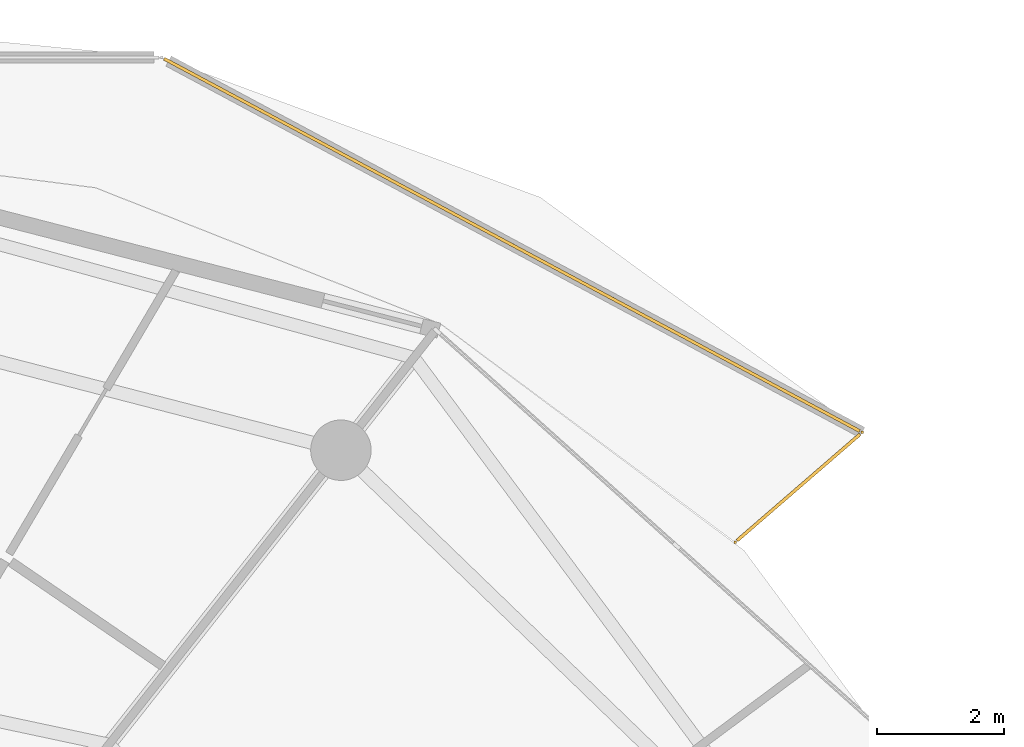
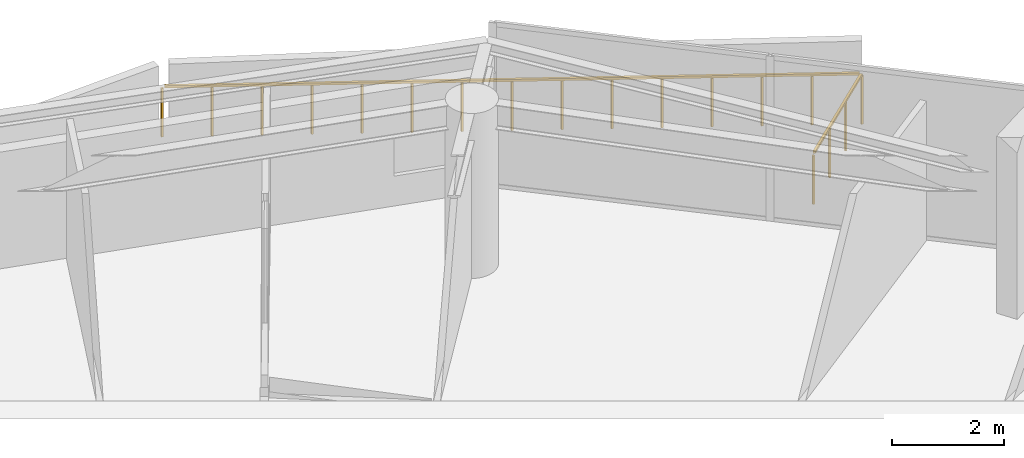
# One storey, part 30 of 30: 2 railings.
"""IFC4 building model written with IfcOpenShell, lengths in metres."""

from ifc_helpers import new_model, si_unit, direction, frame, origin, origin_2d, place, context, subcontext, project, spatial, rectangle, extrude, material, type_object, element, save


model = new_model("IFC4")

# Units and contexts
model_context = context("Model", 3, precision=1e-05, world=origin(), true_north=direction((0.0, 1.0)))
body_context = subcontext(model_context, "Body", "Model", "MODEL_VIEW")
ifc_project = project(units=[si_unit("LENGTHUNIT", "METRE"), si_unit("AREAUNIT", "SQUARE_METRE"), si_unit("VOLUMEUNIT", "CUBIC_METRE"), si_unit("PLANEANGLEUNIT", "RADIAN"), si_unit("MASSUNIT", "GRAM", prefix="KILO")], contexts=[model_context])

# Site, building, storey
site_placement = place(None, origin())
site = spatial("IfcSite", under=ifc_project, at=site_placement, CompositionType="ELEMENT")
building_placement = place(site_placement, origin())
building = spatial("IfcBuilding", under=site, at=building_placement, Name="Kazma Halo Residences", CompositionType="ELEMENT")
storey_placement = place(building_placement, frame((0.0, 0.0, 294.449951171875)))
storey = spatial("IfcBuildingStorey", under=building, at=storey_placement, Name="L74", CompositionType="ELEMENT", Elevation=294.449951171875)

# Railings
ifc_material = material(Name="Aluminium AW-6063 T6 Brushed Cap Rail", Category="aluminium")
railing_type = type_object("IfcRailingType", Name="RLG-BAL-CAP-1120", PredefinedType="BALUSTRADE", material=ifc_material)
railing_1_placement = place(storey_placement, frame((71.0400390625, 61.9228515625, 0.0)))
element("IfcRailing", 1, at=railing_1_placement, inside=storey, type_object=railing_type, Name="L74 NE wave balcony guard 1", PredefinedType="BALUSTRADE", context=body_context, shape_type="SweptSolid", body=[
    extrude(rectangle(XDim=0.050048828125, YDim=0.050048828125, at=origin_2d()), frame((0.0322265625, 0.02783203125, 1.09521484375), z_axis=(0.756423746387, 0.654081887765, 0.0), x_axis=(-0.654081887765, 0.756423746387, 0.0)), (0.0, 0.0, 1.0), 2.5556640625),
    extrude(rectangle(XDim=0.0400390625, YDim=0.0400390625, at=origin_2d()), origin(), (0.0, 0.0, 1.0), 1.05810546875),
    extrude(rectangle(XDim=0.0400390625, YDim=0.0400390625, at=origin_2d()), frame((0.665771484375, 0.57568359375, 0.0)), (0.0, 0.0, 1.0), 1.05810546875),
    extrude(rectangle(XDim=0.0400390625, YDim=0.0400390625, at=origin_2d()), frame((1.331787109375, 1.151611328125, 0.0)), (0.0, 0.0, 1.0), 1.05810546875),
    extrude(rectangle(XDim=0.0400390625, YDim=0.0400390625, at=origin_2d()), frame((1.99755859375, 1.727294921875, 0.0)), (0.0, 0.0, 1.0), 1.05810546875),
])
railing_2_placement = place(storey_placement, frame((73.03759765625, 63.650146484375, 0.0)))
element("IfcRailing", 2, at=railing_2_placement, inside=storey, type_object=railing_type, Name="L74 NE wave balcony guard 2", PredefinedType="BALUSTRADE", context=body_context, shape_type="SweptSolid", body=[
    extrude(rectangle(XDim=0.050048828125, YDim=0.050048828125, at=origin_2d()), frame((-0.03759765625, 0.02001953125, 1.09521484375), z_axis=(-0.881587822602, 0.472020032455, 0.0), x_axis=(-0.472020032455, -0.881587822602, 0.0)), (0.0, 0.0, 1.0), 12.397216796875),
    extrude(rectangle(XDim=0.0400390625, YDim=0.0400390625, at=origin_2d()), origin(), (0.0, 0.0, 1.0), 1.05810546875),
    extrude(rectangle(XDim=0.0400390625, YDim=0.0400390625, at=origin_2d()), frame((-0.7861328125, 0.4208984375, 0.0)), (0.0, 0.0, 1.0), 1.05810546875),
    extrude(rectangle(XDim=0.0400390625, YDim=0.0400390625, at=origin_2d()), frame((-1.572021484375, 0.841796875, 0.0)), (0.0, 0.0, 1.0), 1.05810546875),
    extrude(rectangle(XDim=0.0400390625, YDim=0.0400390625, at=origin_2d()), frame((-2.35791015625, 1.262451171875, 0.0)), (0.0, 0.0, 1.0), 1.05810546875),
    extrude(rectangle(XDim=0.0400390625, YDim=0.0400390625, at=origin_2d()), frame((-3.14404296875, 1.683349609375, 0.0)), (0.0, 0.0, 1.0), 1.05810546875),
    extrude(rectangle(XDim=0.0400390625, YDim=0.0400390625, at=origin_2d()), frame((-3.93017578125, 2.104248046875, 0.0)), (0.0, 0.0, 1.0), 1.05810546875),
    extrude(rectangle(XDim=0.0400390625, YDim=0.0400390625, at=origin_2d()), frame((-4.716064453125, 2.525146484375, 0.0)), (0.0, 0.0, 1.0), 1.05810546875),
    extrude(rectangle(XDim=0.0400390625, YDim=0.0400390625, at=origin_2d()), frame((-5.501953125, 2.94580078125, 0.0)), (0.0, 0.0, 1.0), 1.05810546875),
    extrude(rectangle(XDim=0.0400390625, YDim=0.0400390625, at=origin_2d()), frame((-6.2880859375, 3.36669921875, 0.0)), (0.0, 0.0, 1.0), 1.05810546875),
    extrude(rectangle(XDim=0.0400390625, YDim=0.0400390625, at=origin_2d()), frame((-7.07421875, 3.78759765625, 0.0)), (0.0, 0.0, 1.0), 1.05810546875),
    extrude(rectangle(XDim=0.0400390625, YDim=0.0400390625, at=origin_2d()), frame((-7.860107421875, 4.20849609375, 0.0)), (0.0, 0.0, 1.0), 1.05810546875),
    extrude(rectangle(XDim=0.0400390625, YDim=0.0400390625, at=origin_2d()), frame((-8.64599609375, 4.62939453125, 0.0)), (0.0, 0.0, 1.0), 1.05810546875),
    extrude(rectangle(XDim=0.0400390625, YDim=0.0400390625, at=origin_2d()), frame((-9.43212890625, 5.050048828125, 0.0)), (0.0, 0.0, 1.0), 1.05810546875),
    extrude(rectangle(XDim=0.0400390625, YDim=0.0400390625, at=origin_2d()), frame((-10.21826171875, 5.470947265625, 0.0)), (0.0, 0.0, 1.0), 1.05810546875),
    extrude(rectangle(XDim=0.0400390625, YDim=0.0400390625, at=origin_2d()), frame((-11.004150390625, 5.891845703125, 0.0)), (0.0, 0.0, 1.0), 1.05810546875),
])

save(model, "model.ifc")
